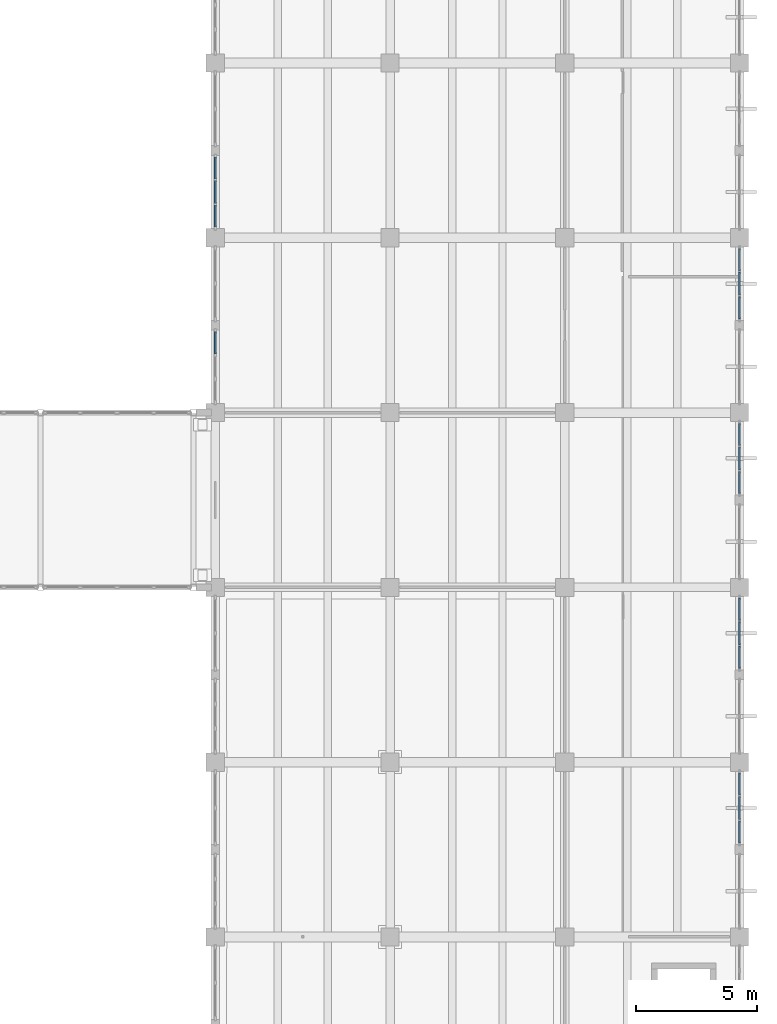
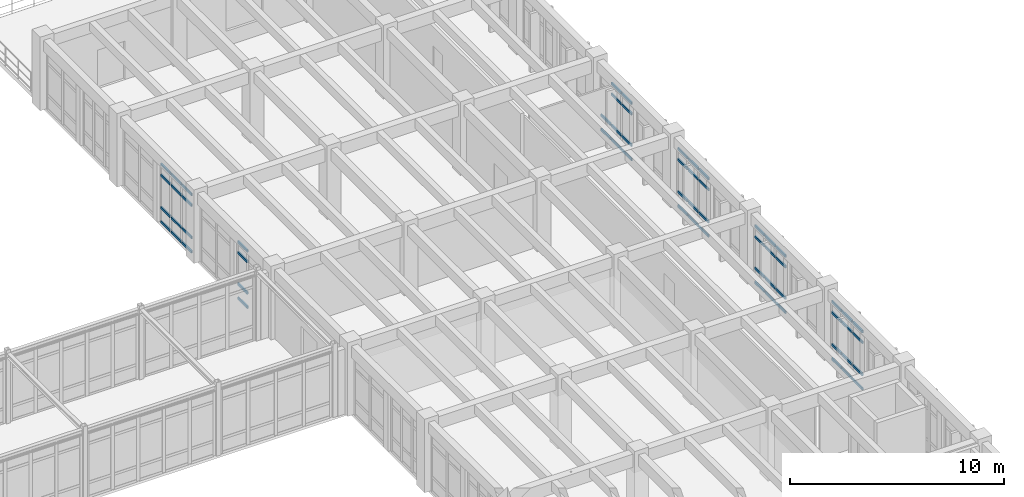
# One storey, part 73 of 136: 62 members, 6 elements without a shape of their own.
"""IFC4 building model written with IfcOpenShell, lengths in metres."""

from ifc_helpers import new_model, si_unit, direction, frame, origin, origin_2d, place, context, subcontext, project, spatial, rectangle, extrude, material, layer, layer_set, material_profile, profile_set, type_object, element, aggregate, save


model = new_model("IFC4")

# Units and contexts
model_context = context("Model", 3, precision=1e-05, world=origin(), true_north=direction((0.0, 1.0)))
body_context = subcontext(model_context, "Body", "Model", "MODEL_VIEW")
ifc_project = project(units=[si_unit("LENGTHUNIT", "METRE"), si_unit("AREAUNIT", "SQUARE_METRE"), si_unit("VOLUMEUNIT", "CUBIC_METRE"), si_unit("PLANEANGLEUNIT", "RADIAN"), si_unit("MASSUNIT", "GRAM", prefix="KILO")], contexts=[model_context])

# Site, building, storey
site_placement = place(None, origin())
site = spatial("IfcSite", under=ifc_project, at=site_placement, CompositionType="ELEMENT")
building_placement = place(site_placement, origin())
building = spatial("IfcBuilding", under=site, at=building_placement, Name="Koriwan Promenade Central Fire Station", CompositionType="ELEMENT")
storey_placement = place(building_placement, frame((0.0, 0.0, 5.39990234375)))
storey = spatial("IfcBuildingStorey", under=building, at=storey_placement, Name="L01", CompositionType="ELEMENT", Elevation=5.39990234375)

# Curtain wall, members
ifc_material_1 = material(Name="Aluminium EN AW-6063-T6 and low-E glazing", Category="aluminium")
ifc_layer_1 = layer(ifc_material_1, 0.159912109375, Name="Aluminium EN AW-6063-T6 and low-E glazing")
ifc_layer_set_1 = layer_set([ifc_layer_1], Name="Aluminium EN AW-6063-T6 and low-E glazing")
curtain_wall_type_1 = type_object("IfcCurtainWallType", Name="CurtainWall_62_302x329", PredefinedType="USERDEFINED", material=ifc_layer_set_1)
curtain_wall_1_placement = place(storey_placement, origin())
curtain_wall_1 = element("IfcCurtainWall", 1, at=curtain_wall_1_placement, inside=storey, type_object=curtain_wall_type_1, Name="V5 L01 unitised curtain wall 183", ObjectType="UNITISED CURTAIN WALL", PredefinedType="USERDEFINED")
ifc_material_2 = material(Name="Aluminium EN AW-6063-T6", Category="aluminium")
ifc_material_profile = material_profile(ifc_material_2, rectangle(XDim=0.074951171875, YDim=0.139892578125, at=origin_2d()), Name="ALU-TRN-75x140")
ifc_profile_set = profile_set([ifc_material_profile], Name="Aluminium EN AW-6063-T6")
member_type = type_object("IfcMemberType", Name="CWTransom_ALU-TRN-75x140", PredefinedType="USERDEFINED", material=ifc_profile_set)
member_1_placement = place(storey_placement, frame((151.199951171875, 52.8291015625, 0.03759765625), z_axis=(0.0, 1.0, 0.0), x_axis=(-1.0, 0.0, 0.0)))
member_1 = element("IfcMember", 2, at=member_1_placement, type_object=member_type, Name="CW-62 transom 3.1", ObjectType="TRANSOM", PredefinedType="USERDEFINED", context=body_context, shape_type="SweptSolid", body=[
    extrude(rectangle(XDim=0.074951171875, YDim=0.139892578125, at=origin_2d()), origin(), (0.0, 0.0, 1.0), 0.89599609375),
])
member_2_placement = place(storey_placement, frame((151.199951171875, 52.8291015625, 0.85009765625), z_axis=(0.0, 1.0, 0.0), x_axis=(-1.0, 0.0, 0.0)))
member_2 = element("IfcMember", 3, at=member_2_placement, type_object=member_type, Name="CW-62 transom 3.2", ObjectType="TRANSOM", PredefinedType="USERDEFINED", context=body_context, shape_type="SweptSolid", body=[
    extrude(rectangle(XDim=0.074951171875, YDim=0.139892578125, at=origin_2d()), origin(), (0.0, 0.0, 1.0), 0.89599609375),
])
member_3_placement = place(storey_placement, frame((151.199951171875, 52.8291015625, 2.64013671875), z_axis=(0.0, 1.0, 0.0), x_axis=(-1.0, 0.0, 0.0)))
member_3 = element("IfcMember", 4, at=member_3_placement, type_object=member_type, Name="CW-62 transom 3.3", ObjectType="TRANSOM", PredefinedType="USERDEFINED", context=body_context, shape_type="SweptSolid", body=[
    extrude(rectangle(XDim=0.074951171875, YDim=0.139892578125, at=origin_2d()), origin(), (0.0, 0.0, 1.0), 0.89599609375),
])
member_4_placement = place(storey_placement, frame((151.199951171875, 52.8291015625, 3.252685546875), z_axis=(0.0, 1.0, 0.0), x_axis=(-1.0, 0.0, 0.0)))
member_4 = element("IfcMember", 5, at=member_4_placement, type_object=member_type, Name="CW-62 transom 3.4", ObjectType="TRANSOM", PredefinedType="USERDEFINED", context=body_context, shape_type="SweptSolid", body=[
    extrude(rectangle(XDim=0.074951171875, YDim=0.139892578125, at=origin_2d()), origin(), (0.0, 0.0, 1.0), 0.89599609375),
])
aggregate(curtain_wall_1, [member_1, member_2, member_3, member_4])

ifc_layer_2 = layer(ifc_material_1, 0.159912109375, Name="Aluminium EN AW-6063-T6 and low-E glazing")
ifc_layer_set_2 = layer_set([ifc_layer_2], Name="Aluminium EN AW-6063-T6 and low-E glazing")
curtain_wall_type_2 = type_object("IfcCurtainWallType", Name="CurtainWall_69_302x335", PredefinedType="USERDEFINED", material=ifc_layer_set_2)
curtain_wall_2_placement = place(storey_placement, origin())
curtain_wall_2 = element("IfcCurtainWall", 6, at=curtain_wall_2_placement, inside=storey, type_object=curtain_wall_type_2, Name="V5 L01 unitised curtain wall 185", ObjectType="UNITISED CURTAIN WALL", PredefinedType="USERDEFINED")
member_5_placement = place(storey_placement, frame((151.199951171875, 58.050048828125, 0.03759765625), z_axis=(0.0, 1.0, 0.0), x_axis=(-1.0, 0.0, 0.0)))
member_5 = element("IfcMember", 7, at=member_5_placement, type_object=member_type, Name="CW-69 transom 1.1", ObjectType="TRANSOM", PredefinedType="USERDEFINED", context=body_context, shape_type="SweptSolid", body=[
    extrude(rectangle(XDim=0.074951171875, YDim=0.139892578125, at=origin_2d()), origin(), (0.0, 0.0, 1.0), 0.895751953125),
])
member_6_placement = place(storey_placement, frame((151.199951171875, 58.050048828125, 0.85009765625), z_axis=(0.0, 1.0, 0.0), x_axis=(-1.0, 0.0, 0.0)))
member_6 = element("IfcMember", 8, at=member_6_placement, type_object=member_type, Name="CW-69 transom 1.2", ObjectType="TRANSOM", PredefinedType="USERDEFINED", context=body_context, shape_type="SweptSolid", body=[
    extrude(rectangle(XDim=0.074951171875, YDim=0.139892578125, at=origin_2d()), origin(), (0.0, 0.0, 1.0), 0.895751953125),
])
member_7_placement = place(storey_placement, frame((151.199951171875, 58.050048828125, 2.7001953125), z_axis=(0.0, 1.0, 0.0), x_axis=(-1.0, 0.0, 0.0)))
member_7 = element("IfcMember", 9, at=member_7_placement, type_object=member_type, Name="CW-69 transom 1.3", ObjectType="TRANSOM", PredefinedType="USERDEFINED", context=body_context, shape_type="SweptSolid", body=[
    extrude(rectangle(XDim=0.074951171875, YDim=0.139892578125, at=origin_2d()), origin(), (0.0, 0.0, 1.0), 0.895751953125),
])
member_8_placement = place(storey_placement, frame((151.199951171875, 58.050048828125, 3.3125), z_axis=(0.0, 1.0, 0.0), x_axis=(-1.0, 0.0, 0.0)))
member_8 = element("IfcMember", 10, at=member_8_placement, type_object=member_type, Name="CW-69 transom 1.4", ObjectType="TRANSOM", PredefinedType="USERDEFINED", context=body_context, shape_type="SweptSolid", body=[
    extrude(rectangle(XDim=0.074951171875, YDim=0.139892578125, at=origin_2d()), origin(), (0.0, 0.0, 1.0), 0.895751953125),
])
member_9_placement = place(storey_placement, frame((151.199951171875, 59.020751953125, 0.03759765625), z_axis=(0.0, 1.0, 0.0), x_axis=(-1.0, 0.0, 0.0)))
member_9 = element("IfcMember", 11, at=member_9_placement, type_object=member_type, Name="CW-69 transom 2.1", ObjectType="TRANSOM", PredefinedType="USERDEFINED", context=body_context, shape_type="SweptSolid", body=[
    extrude(rectangle(XDim=0.074951171875, YDim=0.139892578125, at=origin_2d()), origin(), (0.0, 0.0, 1.0), 0.933349609375),
])
member_10_placement = place(storey_placement, frame((151.199951171875, 59.020751953125, 0.85009765625), z_axis=(0.0, 1.0, 0.0), x_axis=(-1.0, 0.0, 0.0)))
member_10 = element("IfcMember", 12, at=member_10_placement, type_object=member_type, Name="CW-69 transom 2.2", ObjectType="TRANSOM", PredefinedType="USERDEFINED", context=body_context, shape_type="SweptSolid", body=[
    extrude(rectangle(XDim=0.074951171875, YDim=0.139892578125, at=origin_2d()), origin(), (0.0, 0.0, 1.0), 0.933349609375),
])
member_11_placement = place(storey_placement, frame((151.199951171875, 59.020751953125, 2.7001953125), z_axis=(0.0, 1.0, 0.0), x_axis=(-1.0, 0.0, 0.0)))
member_11 = element("IfcMember", 13, at=member_11_placement, type_object=member_type, Name="CW-69 transom 2.3", ObjectType="TRANSOM", PredefinedType="USERDEFINED", context=body_context, shape_type="SweptSolid", body=[
    extrude(rectangle(XDim=0.074951171875, YDim=0.139892578125, at=origin_2d()), origin(), (0.0, 0.0, 1.0), 0.933349609375),
])
member_12_placement = place(storey_placement, frame((151.199951171875, 59.020751953125, 3.3125), z_axis=(0.0, 1.0, 0.0), x_axis=(-1.0, 0.0, 0.0)))
member_12 = element("IfcMember", 14, at=member_12_placement, type_object=member_type, Name="CW-69 transom 2.4", ObjectType="TRANSOM", PredefinedType="USERDEFINED", context=body_context, shape_type="SweptSolid", body=[
    extrude(rectangle(XDim=0.074951171875, YDim=0.139892578125, at=origin_2d()), origin(), (0.0, 0.0, 1.0), 0.933349609375),
])
member_13_placement = place(storey_placement, frame((151.199951171875, 60.029052734375, 0.03759765625), z_axis=(0.0, 1.0, 0.0), x_axis=(-1.0, 0.0, 0.0)))
member_13 = element("IfcMember", 15, at=member_13_placement, type_object=member_type, Name="CW-69 transom 3.1", ObjectType="TRANSOM", PredefinedType="USERDEFINED", context=body_context, shape_type="SweptSolid", body=[
    extrude(rectangle(XDim=0.074951171875, YDim=0.139892578125, at=origin_2d()), origin(), (0.0, 0.0, 1.0), 0.89599609375),
])
member_14_placement = place(storey_placement, frame((151.199951171875, 60.029052734375, 0.85009765625), z_axis=(0.0, 1.0, 0.0), x_axis=(-1.0, 0.0, 0.0)))
member_14 = element("IfcMember", 16, at=member_14_placement, type_object=member_type, Name="CW-69 transom 3.2", ObjectType="TRANSOM", PredefinedType="USERDEFINED", context=body_context, shape_type="SweptSolid", body=[
    extrude(rectangle(XDim=0.074951171875, YDim=0.139892578125, at=origin_2d()), origin(), (0.0, 0.0, 1.0), 0.89599609375),
])
member_15_placement = place(storey_placement, frame((151.199951171875, 60.029052734375, 2.7001953125), z_axis=(0.0, 1.0, 0.0), x_axis=(-1.0, 0.0, 0.0)))
member_15 = element("IfcMember", 17, at=member_15_placement, type_object=member_type, Name="CW-69 transom 3.3", ObjectType="TRANSOM", PredefinedType="USERDEFINED", context=body_context, shape_type="SweptSolid", body=[
    extrude(rectangle(XDim=0.074951171875, YDim=0.139892578125, at=origin_2d()), origin(), (0.0, 0.0, 1.0), 0.89599609375),
])
member_16_placement = place(storey_placement, frame((151.199951171875, 60.029052734375, 3.3125), z_axis=(0.0, 1.0, 0.0), x_axis=(-1.0, 0.0, 0.0)))
member_16 = element("IfcMember", 18, at=member_16_placement, type_object=member_type, Name="CW-69 transom 3.4", ObjectType="TRANSOM", PredefinedType="USERDEFINED", context=body_context, shape_type="SweptSolid", body=[
    extrude(rectangle(XDim=0.074951171875, YDim=0.139892578125, at=origin_2d()), origin(), (0.0, 0.0, 1.0), 0.89599609375),
])
aggregate(curtain_wall_2, [member_5, member_6, member_7, member_8, member_9, member_10, member_11, member_12, member_13, member_14, member_15, member_16])

curtain_wall_3_placement = place(storey_placement, origin())
curtain_wall_3 = element("IfcCurtainWall", 19, at=curtain_wall_3_placement, inside=storey, type_object=curtain_wall_type_1, Name="V5 L01 unitised curtain wall 193", ObjectType="UNITISED CURTAIN WALL", PredefinedType="USERDEFINED")
member_17_placement = place(storey_placement, frame((172.800048828125, 57.14990234375, 0.03759765625), z_axis=(0.0, -1.0, 0.0), x_axis=(1.0, 0.0, 0.0)))
member_17 = element("IfcMember", 20, at=member_17_placement, type_object=member_type, Name="CW-62 transom 1.1", ObjectType="TRANSOM", PredefinedType="USERDEFINED", context=body_context, shape_type="SweptSolid", body=[
    extrude(rectangle(XDim=0.074951171875, YDim=0.139892578125, at=origin_2d()), origin(), (0.0, 0.0, 1.0), 0.895751953125),
])
member_18_placement = place(storey_placement, frame((172.800048828125, 57.14990234375, 0.85009765625), z_axis=(0.0, -1.0, 0.0), x_axis=(1.0, 0.0, 0.0)))
member_18 = element("IfcMember", 21, at=member_18_placement, type_object=member_type, Name="CW-62 transom 1.2", ObjectType="TRANSOM", PredefinedType="USERDEFINED", context=body_context, shape_type="SweptSolid", body=[
    extrude(rectangle(XDim=0.074951171875, YDim=0.139892578125, at=origin_2d()), origin(), (0.0, 0.0, 1.0), 0.895751953125),
])
member_19_placement = place(storey_placement, frame((172.800048828125, 56.17919921875, 0.03759765625), z_axis=(0.0, -1.0, 0.0), x_axis=(1.0, 0.0, 0.0)))
member_19 = element("IfcMember", 22, at=member_19_placement, type_object=member_type, Name="CW-62 transom 2.1", ObjectType="TRANSOM", PredefinedType="USERDEFINED", context=body_context, shape_type="SweptSolid", body=[
    extrude(rectangle(XDim=0.074951171875, YDim=0.139892578125, at=origin_2d()), origin(), (0.0, 0.0, 1.0), 0.933349609375),
])
member_20_placement = place(storey_placement, frame((172.800048828125, 56.17919921875, 0.85009765625), z_axis=(0.0, -1.0, 0.0), x_axis=(1.0, 0.0, 0.0)))
member_20 = element("IfcMember", 23, at=member_20_placement, type_object=member_type, Name="CW-62 transom 2.2", ObjectType="TRANSOM", PredefinedType="USERDEFINED", context=body_context, shape_type="SweptSolid", body=[
    extrude(rectangle(XDim=0.074951171875, YDim=0.139892578125, at=origin_2d()), origin(), (0.0, 0.0, 1.0), 0.933349609375),
])
member_21_placement = place(storey_placement, frame((172.800048828125, 56.17919921875, 2.64013671875), z_axis=(0.0, -1.0, 0.0), x_axis=(1.0, 0.0, 0.0)))
member_21 = element("IfcMember", 24, at=member_21_placement, type_object=member_type, Name="CW-62 transom 2.3", ObjectType="TRANSOM", PredefinedType="USERDEFINED", context=body_context, shape_type="SweptSolid", body=[
    extrude(rectangle(XDim=0.074951171875, YDim=0.139892578125, at=origin_2d()), origin(), (0.0, 0.0, 1.0), 0.933349609375),
])
member_22_placement = place(storey_placement, frame((172.800048828125, 56.17919921875, 3.252685546875), z_axis=(0.0, -1.0, 0.0), x_axis=(1.0, 0.0, 0.0)))
member_22 = element("IfcMember", 25, at=member_22_placement, type_object=member_type, Name="CW-62 transom 2.4", ObjectType="TRANSOM", PredefinedType="USERDEFINED", context=body_context, shape_type="SweptSolid", body=[
    extrude(rectangle(XDim=0.074951171875, YDim=0.139892578125, at=origin_2d()), origin(), (0.0, 0.0, 1.0), 0.933349609375),
])
member_23_placement = place(storey_placement, frame((172.800048828125, 55.1708984375, 0.03759765625), z_axis=(0.0, -1.0, 0.0), x_axis=(1.0, 0.0, 0.0)))
member_23 = element("IfcMember", 26, at=member_23_placement, type_object=member_type, Name="CW-62 transom 3.1", ObjectType="TRANSOM", PredefinedType="USERDEFINED", context=body_context, shape_type="SweptSolid", body=[
    extrude(rectangle(XDim=0.074951171875, YDim=0.139892578125, at=origin_2d()), origin(), (0.0, 0.0, 1.0), 0.89599609375),
])
member_24_placement = place(storey_placement, frame((172.800048828125, 55.1708984375, 0.85009765625), z_axis=(0.0, -1.0, 0.0), x_axis=(1.0, 0.0, 0.0)))
member_24 = element("IfcMember", 27, at=member_24_placement, type_object=member_type, Name="CW-62 transom 3.2", ObjectType="TRANSOM", PredefinedType="USERDEFINED", context=body_context, shape_type="SweptSolid", body=[
    extrude(rectangle(XDim=0.074951171875, YDim=0.139892578125, at=origin_2d()), origin(), (0.0, 0.0, 1.0), 0.89599609375),
])
member_25_placement = place(storey_placement, frame((172.800048828125, 55.1708984375, 2.64013671875), z_axis=(0.0, -1.0, 0.0), x_axis=(1.0, 0.0, 0.0)))
member_25 = element("IfcMember", 28, at=member_25_placement, type_object=member_type, Name="CW-62 transom 3.3", ObjectType="TRANSOM", PredefinedType="USERDEFINED", context=body_context, shape_type="SweptSolid", body=[
    extrude(rectangle(XDim=0.074951171875, YDim=0.139892578125, at=origin_2d()), origin(), (0.0, 0.0, 1.0), 0.89599609375),
])
member_26_placement = place(storey_placement, frame((172.800048828125, 55.1708984375, 3.252685546875), z_axis=(0.0, -1.0, 0.0), x_axis=(1.0, 0.0, 0.0)))
member_26 = element("IfcMember", 29, at=member_26_placement, type_object=member_type, Name="CW-62 transom 3.4", ObjectType="TRANSOM", PredefinedType="USERDEFINED", context=body_context, shape_type="SweptSolid", body=[
    extrude(rectangle(XDim=0.074951171875, YDim=0.139892578125, at=origin_2d()), origin(), (0.0, 0.0, 1.0), 0.89599609375),
])
aggregate(curtain_wall_3, [member_17, member_18, member_19, member_20, member_21, member_22, member_23, member_24, member_25, member_26])

ifc_layer_3 = layer(ifc_material_1, 0.159912109375, Name="Aluminium EN AW-6063-T6 and low-E glazing")
ifc_layer_set_3 = layer_set([ifc_layer_3], Name="Aluminium EN AW-6063-T6 and low-E glazing")
curtain_wall_type_3 = type_object("IfcCurtainWallType", Name="CurtainWall_63_302x334", PredefinedType="USERDEFINED", material=ifc_layer_set_3)
curtain_wall_4_placement = place(storey_placement, origin())
curtain_wall_4 = element("IfcCurtainWall", 30, at=curtain_wall_4_placement, inside=storey, type_object=curtain_wall_type_3, Name="V5 L01 unitised curtain wall 195", ObjectType="UNITISED CURTAIN WALL", PredefinedType="USERDEFINED")
member_27_placement = place(storey_placement, frame((172.800048828125, 49.949951171875, 0.03759765625), z_axis=(0.0, -1.0, 0.0), x_axis=(1.0, 0.0, 0.0)))
member_27 = element("IfcMember", 31, at=member_27_placement, type_object=member_type, Name="CW-63 transom 1.1", ObjectType="TRANSOM", PredefinedType="USERDEFINED", context=body_context, shape_type="SweptSolid", body=[
    extrude(rectangle(XDim=0.074951171875, YDim=0.139892578125, at=origin_2d()), origin(), (0.0, 0.0, 1.0), 0.895751953125),
])
member_28_placement = place(storey_placement, frame((172.800048828125, 49.949951171875, 0.85009765625), z_axis=(0.0, -1.0, 0.0), x_axis=(1.0, 0.0, 0.0)))
member_28 = element("IfcMember", 32, at=member_28_placement, type_object=member_type, Name="CW-63 transom 1.2", ObjectType="TRANSOM", PredefinedType="USERDEFINED", context=body_context, shape_type="SweptSolid", body=[
    extrude(rectangle(XDim=0.074951171875, YDim=0.139892578125, at=origin_2d()), origin(), (0.0, 0.0, 1.0), 0.895751953125),
])
member_29_placement = place(storey_placement, frame((172.800048828125, 49.949951171875, 2.690185546875), z_axis=(0.0, -1.0, 0.0), x_axis=(1.0, 0.0, 0.0)))
member_29 = element("IfcMember", 33, at=member_29_placement, type_object=member_type, Name="CW-63 transom 1.3", ObjectType="TRANSOM", PredefinedType="USERDEFINED", context=body_context, shape_type="SweptSolid", body=[
    extrude(rectangle(XDim=0.074951171875, YDim=0.139892578125, at=origin_2d()), origin(), (0.0, 0.0, 1.0), 0.895751953125),
])
member_30_placement = place(storey_placement, frame((172.800048828125, 49.949951171875, 3.302490234375), z_axis=(0.0, -1.0, 0.0), x_axis=(1.0, 0.0, 0.0)))
member_30 = element("IfcMember", 34, at=member_30_placement, type_object=member_type, Name="CW-63 transom 1.4", ObjectType="TRANSOM", PredefinedType="USERDEFINED", context=body_context, shape_type="SweptSolid", body=[
    extrude(rectangle(XDim=0.074951171875, YDim=0.139892578125, at=origin_2d()), origin(), (0.0, 0.0, 1.0), 0.895751953125),
])
member_31_placement = place(storey_placement, frame((172.800048828125, 48.979248046875, 0.03759765625), z_axis=(0.0, -1.0, 0.0), x_axis=(1.0, 0.0, 0.0)))
member_31 = element("IfcMember", 35, at=member_31_placement, type_object=member_type, Name="CW-63 transom 2.1", ObjectType="TRANSOM", PredefinedType="USERDEFINED", context=body_context, shape_type="SweptSolid", body=[
    extrude(rectangle(XDim=0.074951171875, YDim=0.139892578125, at=origin_2d()), origin(), (0.0, 0.0, 1.0), 0.933349609375),
])
member_32_placement = place(storey_placement, frame((172.800048828125, 48.979248046875, 0.85009765625), z_axis=(0.0, -1.0, 0.0), x_axis=(1.0, 0.0, 0.0)))
member_32 = element("IfcMember", 36, at=member_32_placement, type_object=member_type, Name="CW-63 transom 2.2", ObjectType="TRANSOM", PredefinedType="USERDEFINED", context=body_context, shape_type="SweptSolid", body=[
    extrude(rectangle(XDim=0.074951171875, YDim=0.139892578125, at=origin_2d()), origin(), (0.0, 0.0, 1.0), 0.933349609375),
])
member_33_placement = place(storey_placement, frame((172.800048828125, 48.979248046875, 2.690185546875), z_axis=(0.0, -1.0, 0.0), x_axis=(1.0, 0.0, 0.0)))
member_33 = element("IfcMember", 37, at=member_33_placement, type_object=member_type, Name="CW-63 transom 2.3", ObjectType="TRANSOM", PredefinedType="USERDEFINED", context=body_context, shape_type="SweptSolid", body=[
    extrude(rectangle(XDim=0.074951171875, YDim=0.139892578125, at=origin_2d()), origin(), (0.0, 0.0, 1.0), 0.933349609375),
])
member_34_placement = place(storey_placement, frame((172.800048828125, 48.979248046875, 3.302490234375), z_axis=(0.0, -1.0, 0.0), x_axis=(1.0, 0.0, 0.0)))
member_34 = element("IfcMember", 38, at=member_34_placement, type_object=member_type, Name="CW-63 transom 2.4", ObjectType="TRANSOM", PredefinedType="USERDEFINED", context=body_context, shape_type="SweptSolid", body=[
    extrude(rectangle(XDim=0.074951171875, YDim=0.139892578125, at=origin_2d()), origin(), (0.0, 0.0, 1.0), 0.933349609375),
])
member_35_placement = place(storey_placement, frame((172.800048828125, 47.970947265625, 0.03759765625), z_axis=(0.0, -1.0, 0.0), x_axis=(1.0, 0.0, 0.0)))
member_35 = element("IfcMember", 39, at=member_35_placement, type_object=member_type, Name="CW-63 transom 3.1", ObjectType="TRANSOM", PredefinedType="USERDEFINED", context=body_context, shape_type="SweptSolid", body=[
    extrude(rectangle(XDim=0.074951171875, YDim=0.139892578125, at=origin_2d()), origin(), (0.0, 0.0, 1.0), 0.89599609375),
])
member_36_placement = place(storey_placement, frame((172.800048828125, 47.970947265625, 0.85009765625), z_axis=(0.0, -1.0, 0.0), x_axis=(1.0, 0.0, 0.0)))
member_36 = element("IfcMember", 40, at=member_36_placement, type_object=member_type, Name="CW-63 transom 3.2", ObjectType="TRANSOM", PredefinedType="USERDEFINED", context=body_context, shape_type="SweptSolid", body=[
    extrude(rectangle(XDim=0.074951171875, YDim=0.139892578125, at=origin_2d()), origin(), (0.0, 0.0, 1.0), 0.89599609375),
])
member_37_placement = place(storey_placement, frame((172.800048828125, 47.970947265625, 2.690185546875), z_axis=(0.0, -1.0, 0.0), x_axis=(1.0, 0.0, 0.0)))
member_37 = element("IfcMember", 41, at=member_37_placement, type_object=member_type, Name="CW-63 transom 3.3", ObjectType="TRANSOM", PredefinedType="USERDEFINED", context=body_context, shape_type="SweptSolid", body=[
    extrude(rectangle(XDim=0.074951171875, YDim=0.139892578125, at=origin_2d()), origin(), (0.0, 0.0, 1.0), 0.89599609375),
])
member_38_placement = place(storey_placement, frame((172.800048828125, 47.970947265625, 3.302490234375), z_axis=(0.0, -1.0, 0.0), x_axis=(1.0, 0.0, 0.0)))
member_38 = element("IfcMember", 42, at=member_38_placement, type_object=member_type, Name="CW-63 transom 3.4", ObjectType="TRANSOM", PredefinedType="USERDEFINED", context=body_context, shape_type="SweptSolid", body=[
    extrude(rectangle(XDim=0.074951171875, YDim=0.139892578125, at=origin_2d()), origin(), (0.0, 0.0, 1.0), 0.89599609375),
])
aggregate(curtain_wall_4, [member_27, member_28, member_29, member_30, member_31, member_32, member_33, member_34, member_35, member_36, member_37, member_38])

ifc_layer_4 = layer(ifc_material_1, 0.159912109375, Name="Aluminium EN AW-6063-T6 and low-E glazing")
ifc_layer_set_4 = layer_set([ifc_layer_4], Name="Aluminium EN AW-6063-T6 and low-E glazing")
curtain_wall_type_4 = type_object("IfcCurtainWallType", Name="CurtainWall_61_303x329", PredefinedType="USERDEFINED", material=ifc_layer_set_4)
curtain_wall_5_placement = place(storey_placement, origin())
curtain_wall_5 = element("IfcCurtainWall", 43, at=curtain_wall_5_placement, inside=storey, type_object=curtain_wall_type_4, Name="V5 L01 unitised curtain wall 197", ObjectType="UNITISED CURTAIN WALL", PredefinedType="USERDEFINED")
member_39_placement = place(storey_placement, frame((172.800048828125, 42.75, 0.03759765625), z_axis=(0.0, -1.0, 0.0), x_axis=(1.0, 0.0, 0.0)))
member_39 = element("IfcMember", 44, at=member_39_placement, type_object=member_type, Name="CW-61 transom 1.1", ObjectType="TRANSOM", PredefinedType="USERDEFINED", context=body_context, shape_type="SweptSolid", body=[
    extrude(rectangle(XDim=0.074951171875, YDim=0.139892578125, at=origin_2d()), origin(), (0.0, 0.0, 1.0), 0.895751953125),
])
member_40_placement = place(storey_placement, frame((172.800048828125, 42.75, 0.85009765625), z_axis=(0.0, -1.0, 0.0), x_axis=(1.0, 0.0, 0.0)))
member_40 = element("IfcMember", 45, at=member_40_placement, type_object=member_type, Name="CW-61 transom 1.2", ObjectType="TRANSOM", PredefinedType="USERDEFINED", context=body_context, shape_type="SweptSolid", body=[
    extrude(rectangle(XDim=0.074951171875, YDim=0.139892578125, at=origin_2d()), origin(), (0.0, 0.0, 1.0), 0.895751953125),
])
member_41_placement = place(storey_placement, frame((172.800048828125, 42.75, 2.64013671875), z_axis=(0.0, -1.0, 0.0), x_axis=(1.0, 0.0, 0.0)))
member_41 = element("IfcMember", 46, at=member_41_placement, type_object=member_type, Name="CW-61 transom 1.3", ObjectType="TRANSOM", PredefinedType="USERDEFINED", context=body_context, shape_type="SweptSolid", body=[
    extrude(rectangle(XDim=0.074951171875, YDim=0.139892578125, at=origin_2d()), origin(), (0.0, 0.0, 1.0), 0.895751953125),
])
member_42_placement = place(storey_placement, frame((172.800048828125, 42.75, 3.252685546875), z_axis=(0.0, -1.0, 0.0), x_axis=(1.0, 0.0, 0.0)))
member_42 = element("IfcMember", 47, at=member_42_placement, type_object=member_type, Name="CW-61 transom 1.4", ObjectType="TRANSOM", PredefinedType="USERDEFINED", context=body_context, shape_type="SweptSolid", body=[
    extrude(rectangle(XDim=0.074951171875, YDim=0.139892578125, at=origin_2d()), origin(), (0.0, 0.0, 1.0), 0.895751953125),
])
member_43_placement = place(storey_placement, frame((172.800048828125, 41.779052734375, 0.03759765625), z_axis=(0.0, -1.0, 0.0), x_axis=(1.0, 0.0, 0.0)))
member_43 = element("IfcMember", 48, at=member_43_placement, type_object=member_type, Name="CW-61 transom 2.1", ObjectType="TRANSOM", PredefinedType="USERDEFINED", context=body_context, shape_type="SweptSolid", body=[
    extrude(rectangle(XDim=0.074951171875, YDim=0.139892578125, at=origin_2d()), origin(), (0.0, 0.0, 1.0), 0.93310546875),
])
member_44_placement = place(storey_placement, frame((172.800048828125, 41.779052734375, 0.85009765625), z_axis=(0.0, -1.0, 0.0), x_axis=(1.0, 0.0, 0.0)))
member_44 = element("IfcMember", 49, at=member_44_placement, type_object=member_type, Name="CW-61 transom 2.2", ObjectType="TRANSOM", PredefinedType="USERDEFINED", context=body_context, shape_type="SweptSolid", body=[
    extrude(rectangle(XDim=0.074951171875, YDim=0.139892578125, at=origin_2d()), origin(), (0.0, 0.0, 1.0), 0.93310546875),
])
member_45_placement = place(storey_placement, frame((172.800048828125, 41.779052734375, 2.64013671875), z_axis=(0.0, -1.0, 0.0), x_axis=(1.0, 0.0, 0.0)))
member_45 = element("IfcMember", 50, at=member_45_placement, type_object=member_type, Name="CW-61 transom 2.3", ObjectType="TRANSOM", PredefinedType="USERDEFINED", context=body_context, shape_type="SweptSolid", body=[
    extrude(rectangle(XDim=0.074951171875, YDim=0.139892578125, at=origin_2d()), origin(), (0.0, 0.0, 1.0), 0.93310546875),
])
member_46_placement = place(storey_placement, frame((172.800048828125, 41.779052734375, 3.252685546875), z_axis=(0.0, -1.0, 0.0), x_axis=(1.0, 0.0, 0.0)))
member_46 = element("IfcMember", 51, at=member_46_placement, type_object=member_type, Name="CW-61 transom 2.4", ObjectType="TRANSOM", PredefinedType="USERDEFINED", context=body_context, shape_type="SweptSolid", body=[
    extrude(rectangle(XDim=0.074951171875, YDim=0.139892578125, at=origin_2d()), origin(), (0.0, 0.0, 1.0), 0.93310546875),
])
member_47_placement = place(storey_placement, frame((172.800048828125, 40.770751953125, 0.03759765625), z_axis=(0.0, -1.0, 0.0), x_axis=(1.0, 0.0, 0.0)))
member_47 = element("IfcMember", 52, at=member_47_placement, type_object=member_type, Name="CW-61 transom 3.1", ObjectType="TRANSOM", PredefinedType="USERDEFINED", context=body_context, shape_type="SweptSolid", body=[
    extrude(rectangle(XDim=0.074951171875, YDim=0.139892578125, at=origin_2d()), origin(), (0.0, 0.0, 1.0), 0.895751953125),
])
member_48_placement = place(storey_placement, frame((172.800048828125, 40.770751953125, 0.85009765625), z_axis=(0.0, -1.0, 0.0), x_axis=(1.0, 0.0, 0.0)))
member_48 = element("IfcMember", 53, at=member_48_placement, type_object=member_type, Name="CW-61 transom 3.2", ObjectType="TRANSOM", PredefinedType="USERDEFINED", context=body_context, shape_type="SweptSolid", body=[
    extrude(rectangle(XDim=0.074951171875, YDim=0.139892578125, at=origin_2d()), origin(), (0.0, 0.0, 1.0), 0.895751953125),
])
member_49_placement = place(storey_placement, frame((172.800048828125, 40.770751953125, 2.64013671875), z_axis=(0.0, -1.0, 0.0), x_axis=(1.0, 0.0, 0.0)))
member_49 = element("IfcMember", 54, at=member_49_placement, type_object=member_type, Name="CW-61 transom 3.3", ObjectType="TRANSOM", PredefinedType="USERDEFINED", context=body_context, shape_type="SweptSolid", body=[
    extrude(rectangle(XDim=0.074951171875, YDim=0.139892578125, at=origin_2d()), origin(), (0.0, 0.0, 1.0), 0.895751953125),
])
member_50_placement = place(storey_placement, frame((172.800048828125, 40.770751953125, 3.252685546875), z_axis=(0.0, -1.0, 0.0), x_axis=(1.0, 0.0, 0.0)))
member_50 = element("IfcMember", 55, at=member_50_placement, type_object=member_type, Name="CW-61 transom 3.4", ObjectType="TRANSOM", PredefinedType="USERDEFINED", context=body_context, shape_type="SweptSolid", body=[
    extrude(rectangle(XDim=0.074951171875, YDim=0.139892578125, at=origin_2d()), origin(), (0.0, 0.0, 1.0), 0.895751953125),
])
aggregate(curtain_wall_5, [member_39, member_40, member_41, member_42, member_43, member_44, member_45, member_46, member_47, member_48, member_49, member_50])

curtain_wall_6_placement = place(storey_placement, origin())
curtain_wall_6 = element("IfcCurtainWall", 56, at=curtain_wall_6_placement, inside=storey, type_object=curtain_wall_type_3, Name="V5 L01 unitised curtain wall 199", ObjectType="UNITISED CURTAIN WALL", PredefinedType="USERDEFINED")
member_51_placement = place(storey_placement, frame((172.800048828125, 35.550048828125, 0.03759765625), z_axis=(0.0, -1.0, 0.0), x_axis=(1.0, 0.0, 0.0)))
member_51 = element("IfcMember", 57, at=member_51_placement, type_object=member_type, Name="CW-63 transom 1.1", ObjectType="TRANSOM", PredefinedType="USERDEFINED", context=body_context, shape_type="SweptSolid", body=[
    extrude(rectangle(XDim=0.074951171875, YDim=0.139892578125, at=origin_2d()), origin(), (0.0, 0.0, 1.0), 0.89599609375),
])
member_52_placement = place(storey_placement, frame((172.800048828125, 35.550048828125, 0.85009765625), z_axis=(0.0, -1.0, 0.0), x_axis=(1.0, 0.0, 0.0)))
member_52 = element("IfcMember", 58, at=member_52_placement, type_object=member_type, Name="CW-63 transom 1.2", ObjectType="TRANSOM", PredefinedType="USERDEFINED", context=body_context, shape_type="SweptSolid", body=[
    extrude(rectangle(XDim=0.074951171875, YDim=0.139892578125, at=origin_2d()), origin(), (0.0, 0.0, 1.0), 0.89599609375),
])
member_53_placement = place(storey_placement, frame((172.800048828125, 35.550048828125, 2.690185546875), z_axis=(0.0, -1.0, 0.0), x_axis=(1.0, 0.0, 0.0)))
member_53 = element("IfcMember", 59, at=member_53_placement, type_object=member_type, Name="CW-63 transom 1.3", ObjectType="TRANSOM", PredefinedType="USERDEFINED", context=body_context, shape_type="SweptSolid", body=[
    extrude(rectangle(XDim=0.074951171875, YDim=0.139892578125, at=origin_2d()), origin(), (0.0, 0.0, 1.0), 0.89599609375),
])
member_54_placement = place(storey_placement, frame((172.800048828125, 35.550048828125, 3.302490234375), z_axis=(0.0, -1.0, 0.0), x_axis=(1.0, 0.0, 0.0)))
member_54 = element("IfcMember", 60, at=member_54_placement, type_object=member_type, Name="CW-63 transom 1.4", ObjectType="TRANSOM", PredefinedType="USERDEFINED", context=body_context, shape_type="SweptSolid", body=[
    extrude(rectangle(XDim=0.074951171875, YDim=0.139892578125, at=origin_2d()), origin(), (0.0, 0.0, 1.0), 0.89599609375),
])
member_55_placement = place(storey_placement, frame((172.800048828125, 34.5791015625, 0.03759765625), z_axis=(0.0, -1.0, 0.0), x_axis=(1.0, 0.0, 0.0)))
member_55 = element("IfcMember", 61, at=member_55_placement, type_object=member_type, Name="CW-63 transom 2.1", ObjectType="TRANSOM", PredefinedType="USERDEFINED", context=body_context, shape_type="SweptSolid", body=[
    extrude(rectangle(XDim=0.074951171875, YDim=0.139892578125, at=origin_2d()), origin(), (0.0, 0.0, 1.0), 0.933349609375),
])
member_56_placement = place(storey_placement, frame((172.800048828125, 34.5791015625, 0.85009765625), z_axis=(0.0, -1.0, 0.0), x_axis=(1.0, 0.0, 0.0)))
member_56 = element("IfcMember", 62, at=member_56_placement, type_object=member_type, Name="CW-63 transom 2.2", ObjectType="TRANSOM", PredefinedType="USERDEFINED", context=body_context, shape_type="SweptSolid", body=[
    extrude(rectangle(XDim=0.074951171875, YDim=0.139892578125, at=origin_2d()), origin(), (0.0, 0.0, 1.0), 0.933349609375),
])
member_57_placement = place(storey_placement, frame((172.800048828125, 34.5791015625, 2.690185546875), z_axis=(0.0, -1.0, 0.0), x_axis=(1.0, 0.0, 0.0)))
member_57 = element("IfcMember", 63, at=member_57_placement, type_object=member_type, Name="CW-63 transom 2.3", ObjectType="TRANSOM", PredefinedType="USERDEFINED", context=body_context, shape_type="SweptSolid", body=[
    extrude(rectangle(XDim=0.074951171875, YDim=0.139892578125, at=origin_2d()), origin(), (0.0, 0.0, 1.0), 0.933349609375),
])
member_58_placement = place(storey_placement, frame((172.800048828125, 34.5791015625, 3.302490234375), z_axis=(0.0, -1.0, 0.0), x_axis=(1.0, 0.0, 0.0)))
member_58 = element("IfcMember", 64, at=member_58_placement, type_object=member_type, Name="CW-63 transom 2.4", ObjectType="TRANSOM", PredefinedType="USERDEFINED", context=body_context, shape_type="SweptSolid", body=[
    extrude(rectangle(XDim=0.074951171875, YDim=0.139892578125, at=origin_2d()), origin(), (0.0, 0.0, 1.0), 0.933349609375),
])
member_59_placement = place(storey_placement, frame((172.800048828125, 33.57080078125, 0.03759765625), z_axis=(0.0, -1.0, 0.0), x_axis=(1.0, 0.0, 0.0)))
member_59 = element("IfcMember", 65, at=member_59_placement, type_object=member_type, Name="CW-63 transom 3.1", ObjectType="TRANSOM", PredefinedType="USERDEFINED", context=body_context, shape_type="SweptSolid", body=[
    extrude(rectangle(XDim=0.074951171875, YDim=0.139892578125, at=origin_2d()), origin(), (0.0, 0.0, 1.0), 0.895751953125),
])
member_60_placement = place(storey_placement, frame((172.800048828125, 33.57080078125, 0.85009765625), z_axis=(0.0, -1.0, 0.0), x_axis=(1.0, 0.0, 0.0)))
member_60 = element("IfcMember", 66, at=member_60_placement, type_object=member_type, Name="CW-63 transom 3.2", ObjectType="TRANSOM", PredefinedType="USERDEFINED", context=body_context, shape_type="SweptSolid", body=[
    extrude(rectangle(XDim=0.074951171875, YDim=0.139892578125, at=origin_2d()), origin(), (0.0, 0.0, 1.0), 0.895751953125),
])
member_61_placement = place(storey_placement, frame((172.800048828125, 33.57080078125, 2.690185546875), z_axis=(0.0, -1.0, 0.0), x_axis=(1.0, 0.0, 0.0)))
member_61 = element("IfcMember", 67, at=member_61_placement, type_object=member_type, Name="CW-63 transom 3.3", ObjectType="TRANSOM", PredefinedType="USERDEFINED", context=body_context, shape_type="SweptSolid", body=[
    extrude(rectangle(XDim=0.074951171875, YDim=0.139892578125, at=origin_2d()), origin(), (0.0, 0.0, 1.0), 0.895751953125),
])
member_62_placement = place(storey_placement, frame((172.800048828125, 33.57080078125, 3.302490234375), z_axis=(0.0, -1.0, 0.0), x_axis=(1.0, 0.0, 0.0)))
member_62 = element("IfcMember", 68, at=member_62_placement, type_object=member_type, Name="CW-63 transom 3.4", ObjectType="TRANSOM", PredefinedType="USERDEFINED", context=body_context, shape_type="SweptSolid", body=[
    extrude(rectangle(XDim=0.074951171875, YDim=0.139892578125, at=origin_2d()), origin(), (0.0, 0.0, 1.0), 0.895751953125),
])
aggregate(curtain_wall_6, [member_51, member_52, member_53, member_54, member_55, member_56, member_57, member_58, member_59, member_60, member_61, member_62])

save(model, "model.ifc")
